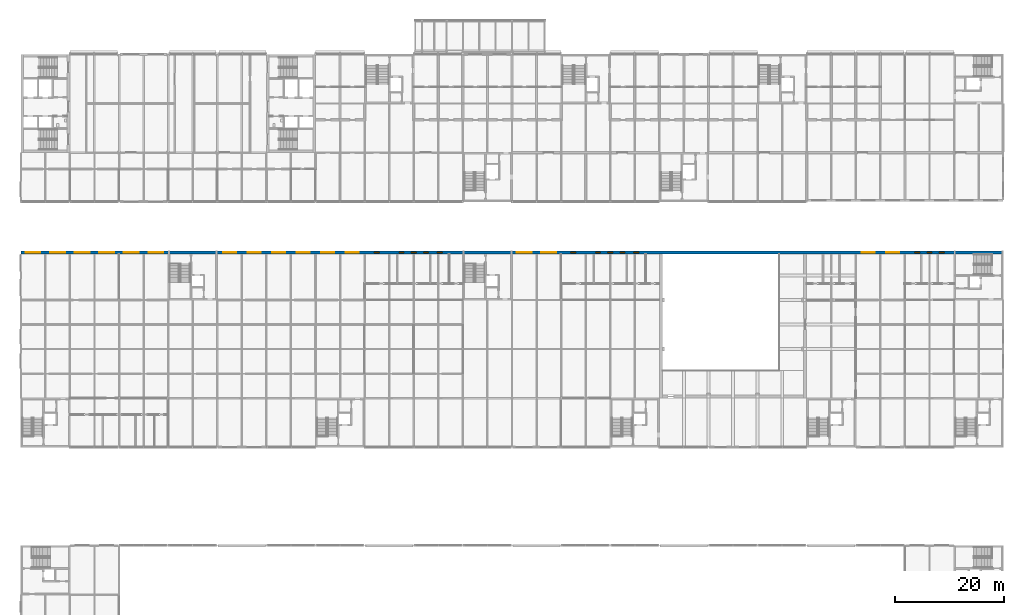
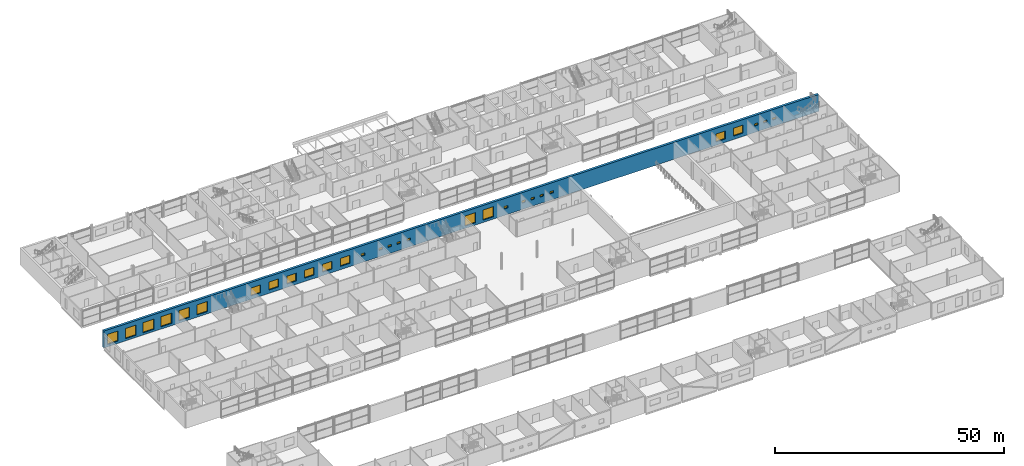
# One storey, part 76 of 97: 29 windows, 1 wall, 29 openings.
"""IFC4 building model written with IfcOpenShell, lengths in metres."""

from ifc_helpers import new_model, si_unit, direction, frame, frame_2d, origin, place, context, subcontext, project, spatial, rectangle, extrude, material, layer, layer_set, type_object, element, fill, save


model = new_model("IFC4")

# Units and contexts
model_context = context("Model", 3, precision=1e-05, world=origin(), true_north=direction((0.0, 1.0)))
body_context = subcontext(model_context, "Body", "Model", "MODEL_VIEW")
ifc_project = project(units=[si_unit("LENGTHUNIT", "METRE"), si_unit("AREAUNIT", "SQUARE_METRE"), si_unit("VOLUMEUNIT", "CUBIC_METRE"), si_unit("PLANEANGLEUNIT", "RADIAN"), si_unit("MASSUNIT", "GRAM", prefix="KILO")], contexts=[model_context])

# Site, building, storey
site_placement = place(None, origin())
site = spatial("IfcSite", under=ifc_project, at=site_placement, CompositionType="ELEMENT")
building_placement = place(site_placement, origin())
building = spatial("IfcBuilding", under=site, at=building_placement, Name="Corbel Yard City Hall", CompositionType="ELEMENT")
storey_placement = place(building_placement, frame((0.0, 0.0, 6.0)))
storey = spatial("IfcBuildingStorey", under=building, at=storey_placement, Name="L01", CompositionType="ELEMENT", Elevation=6.0)

# Wall, openings, windows
ifc_material_1 = material(Name="Concrete N50 (50 MPa)", Category="concrete")
ifc_layer = layer(ifc_material_1, 0.60009765625)
ifc_layer_set = layer_set([ifc_layer], Name="Concrete N50 (50 MPa)")
wall_type = type_object("IfcWallType", Name="Bearing wall 600", PredefinedType="SHEAR", material=ifc_layer_set)
wall_placement = place(storey_placement, frame((0.0, 80.699951171875, 0.0), z_axis=(0.0, 0.0, 1.0), x_axis=(1.0, 0.0, 0.0)))
wall = element("IfcWall", 1, at=wall_placement, inside=storey, type_object=wall_type, Name="Bearing wall L01", PredefinedType="SHEAR", context=body_context, shape_type="SweptSolid", body=[
    extrude(rectangle(XDim=180.0, YDim=0.60009765625, at=frame_2d((90.0, 0.0))), origin(), (0.0, 0.0, 1.0), 4.5),
])
opening_1_placement = place(wall_placement, frame((0.89990234375, 0.0, 0.60009765625)))
opening_1 = element("IfcOpeningElement", 2, at=opening_1_placement, cuts=wall, Name="Opening WN18", PredefinedType="OPENING", context=body_context, shape_type="SweptSolid", body=[
    extrude(rectangle(XDim=2.699951171875, YDim=2.699951171875, at=frame_2d((1.35009765625, 1.35009765625))), frame((0.0, 0.31005859375, 0.0), z_axis=(0.0, -1.0, 0.0), x_axis=(1.0, 0.0, 0.0)), (0.0, 0.0, 1.0), 0.6201171875),
])
opening_2_placement = place(wall_placement, frame((5.39990234375, 0.0, 0.60009765625)))
opening_2 = element("IfcOpeningElement", 3, at=opening_2_placement, cuts=wall, Name="Opening WN18", PredefinedType="OPENING", context=body_context, shape_type="SweptSolid", body=[
    extrude(rectangle(XDim=2.699951171875, YDim=2.699951171875, at=frame_2d((1.35009765625, 1.35009765625))), frame((0.0, 0.31005859375, 0.0), z_axis=(0.0, -1.0, 0.0), x_axis=(1.0, 0.0, 0.0)), (0.0, 0.0, 1.0), 0.6201171875),
])
opening_3_placement = place(wall_placement, frame((9.89990234375, 0.0, 0.60009765625)))
opening_3 = element("IfcOpeningElement", 4, at=opening_3_placement, cuts=wall, Name="Opening WN18", PredefinedType="OPENING", context=body_context, shape_type="SweptSolid", body=[
    extrude(rectangle(XDim=2.699951171875, YDim=2.699951171875, at=frame_2d((1.35009765625, 1.35009765625))), frame((0.0, 0.31005859375, 0.0), z_axis=(0.0, -1.0, 0.0), x_axis=(1.0, 0.0, 0.0)), (0.0, 0.0, 1.0), 0.6201171875),
])
opening_4_placement = place(wall_placement, frame((14.39990234375, 0.0, 0.60009765625)))
opening_4 = element("IfcOpeningElement", 5, at=opening_4_placement, cuts=wall, Name="Opening WN18", PredefinedType="OPENING", context=body_context, shape_type="SweptSolid", body=[
    extrude(rectangle(XDim=2.699951171875, YDim=2.699951171875, at=frame_2d((1.35009765625, 1.35009765625))), frame((0.0, 0.31005859375, 0.0), z_axis=(0.0, -1.0, 0.0), x_axis=(1.0, 0.0, 0.0)), (0.0, 0.0, 1.0), 0.6201171875),
])
opening_5_placement = place(wall_placement, frame((18.89990234375, 0.0, 0.60009765625)))
opening_5 = element("IfcOpeningElement", 6, at=opening_5_placement, cuts=wall, Name="Opening WN18", PredefinedType="OPENING", context=body_context, shape_type="SweptSolid", body=[
    extrude(rectangle(XDim=2.699951171875, YDim=2.699951171875, at=frame_2d((1.35009765625, 1.35009765625))), frame((0.0, 0.31005859375, 0.0), z_axis=(0.0, -1.0, 0.0), x_axis=(1.0, 0.0, 0.0)), (0.0, 0.0, 1.0), 0.6201171875),
])
opening_6_placement = place(wall_placement, frame((23.39990234375, 0.0, 0.60009765625)))
opening_6 = element("IfcOpeningElement", 7, at=opening_6_placement, cuts=wall, Name="Opening WN18", PredefinedType="OPENING", context=body_context, shape_type="SweptSolid", body=[
    extrude(rectangle(XDim=2.699951171875, YDim=2.699951171875, at=frame_2d((1.35009765625, 1.35009765625))), frame((0.0, 0.31005859375, 0.0), z_axis=(0.0, -1.0, 0.0), x_axis=(1.0, 0.0, 0.0)), (0.0, 0.0, 1.0), 0.6201171875),
])
opening_7_placement = place(wall_placement, frame((37.050048828125, 0.0, 0.89990234375)))
opening_7 = element("IfcOpeningElement", 8, at=opening_7_placement, cuts=wall, Name="Opening WN8", PredefinedType="OPENING", context=body_context, shape_type="SweptSolid", body=[
    extrude(rectangle(XDim=2.39990234375, YDim=2.10009765625, at=frame_2d((1.199951171875, 1.050048828125))), frame((0.0, 0.31005859375, 0.0), z_axis=(0.0, -1.0, 0.0), x_axis=(1.0, 0.0, 0.0)), (0.0, 0.0, 1.0), 0.6201171875),
])
opening_8_placement = place(wall_placement, frame((41.550048828125, 0.0, 0.89990234375)))
opening_8 = element("IfcOpeningElement", 9, at=opening_8_placement, cuts=wall, Name="Opening WN8", PredefinedType="OPENING", context=body_context, shape_type="SweptSolid", body=[
    extrude(rectangle(XDim=2.39990234375, YDim=2.10009765625, at=frame_2d((1.199951171875, 1.050048828125))), frame((0.0, 0.31005859375, 0.0), z_axis=(0.0, -1.0, 0.0), x_axis=(1.0, 0.0, 0.0)), (0.0, 0.0, 1.0), 0.6201171875),
])
opening_9_placement = place(wall_placement, frame((46.050048828125, 0.0, 0.89990234375)))
opening_9 = element("IfcOpeningElement", 10, at=opening_9_placement, cuts=wall, Name="Opening WN8", PredefinedType="OPENING", context=body_context, shape_type="SweptSolid", body=[
    extrude(rectangle(XDim=2.39990234375, YDim=2.10009765625, at=frame_2d((1.199951171875, 1.050048828125))), frame((0.0, 0.31005859375, 0.0), z_axis=(0.0, -1.0, 0.0), x_axis=(1.0, 0.0, 0.0)), (0.0, 0.0, 1.0), 0.6201171875),
])
opening_10_placement = place(wall_placement, frame((50.550048828125, 0.0, 0.89990234375)))
opening_10 = element("IfcOpeningElement", 11, at=opening_10_placement, cuts=wall, Name="Opening WN8", PredefinedType="OPENING", context=body_context, shape_type="SweptSolid", body=[
    extrude(rectangle(XDim=2.39990234375, YDim=2.10009765625, at=frame_2d((1.199951171875, 1.050048828125))), frame((0.0, 0.31005859375, 0.0), z_axis=(0.0, -1.0, 0.0), x_axis=(1.0, 0.0, 0.0)), (0.0, 0.0, 1.0), 0.6201171875),
])
opening_11_placement = place(wall_placement, frame((55.050048828125, 0.0, 0.89990234375)))
opening_11 = element("IfcOpeningElement", 12, at=opening_11_placement, cuts=wall, Name="Opening WN8", PredefinedType="OPENING", context=body_context, shape_type="SweptSolid", body=[
    extrude(rectangle(XDim=2.39990234375, YDim=2.10009765625, at=frame_2d((1.199951171875, 1.050048828125))), frame((0.0, 0.31005859375, 0.0), z_axis=(0.0, -1.0, 0.0), x_axis=(1.0, 0.0, 0.0)), (0.0, 0.0, 1.0), 0.6201171875),
])
opening_12_placement = place(wall_placement, frame((59.550048828125, 0.0, 0.89990234375)))
opening_12 = element("IfcOpeningElement", 13, at=opening_12_placement, cuts=wall, Name="Opening WN8", PredefinedType="OPENING", context=body_context, shape_type="SweptSolid", body=[
    extrude(rectangle(XDim=2.39990234375, YDim=2.10009765625, at=frame_2d((1.199951171875, 1.050048828125))), frame((0.0, 0.31005859375, 0.0), z_axis=(0.0, -1.0, 0.0), x_axis=(1.0, 0.0, 0.0)), (0.0, 0.0, 1.0), 0.6201171875),
])
opening_13_placement = place(wall_placement, frame((64.800048828125, 0.0, 1.699951171875)))
opening_13 = element("IfcOpeningElement", 14, at=opening_13_placement, cuts=wall, Name="Opening WN10", PredefinedType="OPENING", context=body_context, shape_type="SweptSolid", body=[
    extrude(rectangle(XDim=0.89990234375, YDim=0.60009765625, at=frame_2d((0.449951171875, 0.300048828125))), frame((0.0, 0.31005859375, 0.0), z_axis=(0.0, -1.0, 0.0), x_axis=(1.0, 0.0, 0.0)), (0.0, 0.0, 1.0), 0.6201171875),
])
opening_14_placement = place(wall_placement, frame((69.300048828125, 0.0, 1.699951171875)))
opening_14 = element("IfcOpeningElement", 15, at=opening_14_placement, cuts=wall, Name="Opening WN10", PredefinedType="OPENING", context=body_context, shape_type="SweptSolid", body=[
    extrude(rectangle(XDim=0.89990234375, YDim=0.60009765625, at=frame_2d((0.449951171875, 0.300048828125))), frame((0.0, 0.31005859375, 0.0), z_axis=(0.0, -1.0, 0.0), x_axis=(1.0, 0.0, 0.0)), (0.0, 0.0, 1.0), 0.6201171875),
])
opening_15_placement = place(wall_placement, frame((73.800048828125, 0.0, 1.699951171875)))
opening_15 = element("IfcOpeningElement", 16, at=opening_15_placement, cuts=wall, Name="Opening WN10", PredefinedType="OPENING", context=body_context, shape_type="SweptSolid", body=[
    extrude(rectangle(XDim=0.89990234375, YDim=0.60009765625, at=frame_2d((0.449951171875, 0.300048828125))), frame((0.0, 0.31005859375, 0.0), z_axis=(0.0, -1.0, 0.0), x_axis=(1.0, 0.0, 0.0)), (0.0, 0.0, 1.0), 0.6201171875),
])
opening_16_placement = place(wall_placement, frame((90.89990234375, 0.0, 0.60009765625)))
opening_16 = element("IfcOpeningElement", 17, at=opening_16_placement, cuts=wall, Name="Opening WN18", PredefinedType="OPENING", context=body_context, shape_type="SweptSolid", body=[
    extrude(rectangle(XDim=2.699951171875, YDim=2.699951171875, at=frame_2d((1.35009765625, 1.35009765625))), frame((0.0, 0.31005859375, 0.0), z_axis=(0.0, -1.0, 0.0), x_axis=(1.0, 0.0, 0.0)), (0.0, 0.0, 1.0), 0.6201171875),
])
opening_17_placement = place(wall_placement, frame((95.39990234375, 0.0, 0.60009765625)))
opening_17 = element("IfcOpeningElement", 18, at=opening_17_placement, cuts=wall, Name="Opening WN18", PredefinedType="OPENING", context=body_context, shape_type="SweptSolid", body=[
    extrude(rectangle(XDim=2.699951171875, YDim=2.699951171875, at=frame_2d((1.35009765625, 1.35009765625))), frame((0.0, 0.31005859375, 0.0), z_axis=(0.0, -1.0, 0.0), x_axis=(1.0, 0.0, 0.0)), (0.0, 0.0, 1.0), 0.6201171875),
])
opening_18_placement = place(wall_placement, frame((100.800048828125, 0.0, 1.699951171875)))
opening_18 = element("IfcOpeningElement", 19, at=opening_18_placement, cuts=wall, Name="Opening WN10", PredefinedType="OPENING", context=body_context, shape_type="SweptSolid", body=[
    extrude(rectangle(XDim=0.89990234375, YDim=0.60009765625, at=frame_2d((0.449951171875, 0.300048828125))), frame((0.0, 0.31005859375, 0.0), z_axis=(0.0, -1.0, 0.0), x_axis=(1.0, 0.0, 0.0)), (0.0, 0.0, 1.0), 0.6201171875),
])
opening_19_placement = place(wall_placement, frame((105.300048828125, 0.0, 1.699951171875)))
opening_19 = element("IfcOpeningElement", 20, at=opening_19_placement, cuts=wall, Name="Opening WN10", PredefinedType="OPENING", context=body_context, shape_type="SweptSolid", body=[
    extrude(rectangle(XDim=0.89990234375, YDim=0.60009765625, at=frame_2d((0.449951171875, 0.300048828125))), frame((0.0, 0.31005859375, 0.0), z_axis=(0.0, -1.0, 0.0), x_axis=(1.0, 0.0, 0.0)), (0.0, 0.0, 1.0), 0.6201171875),
])
opening_20_placement = place(wall_placement, frame((109.800048828125, 0.0, 1.699951171875)))
opening_20 = element("IfcOpeningElement", 21, at=opening_20_placement, cuts=wall, Name="Opening WN10", PredefinedType="OPENING", context=body_context, shape_type="SweptSolid", body=[
    extrude(rectangle(XDim=0.89990234375, YDim=0.60009765625, at=frame_2d((0.449951171875, 0.300048828125))), frame((0.0, 0.31005859375, 0.0), z_axis=(0.0, -1.0, 0.0), x_axis=(1.0, 0.0, 0.0)), (0.0, 0.0, 1.0), 0.6201171875),
])
opening_21_placement = place(wall_placement, frame((154.050048828125, 0.0, 0.89990234375)))
opening_21 = element("IfcOpeningElement", 22, at=opening_21_placement, cuts=wall, Name="Opening WN8", PredefinedType="OPENING", context=body_context, shape_type="SweptSolid", body=[
    extrude(rectangle(XDim=2.39990234375, YDim=2.10009765625, at=frame_2d((1.199951171875, 1.050048828125))), frame((0.0, 0.31005859375, 0.0), z_axis=(0.0, -1.0, 0.0), x_axis=(1.0, 0.0, 0.0)), (0.0, 0.0, 1.0), 0.6201171875),
])
opening_22_placement = place(wall_placement, frame((158.550048828125, 0.0, 0.89990234375)))
opening_22 = element("IfcOpeningElement", 23, at=opening_22_placement, cuts=wall, Name="Opening WN8", PredefinedType="OPENING", context=body_context, shape_type="SweptSolid", body=[
    extrude(rectangle(XDim=2.39990234375, YDim=2.10009765625, at=frame_2d((1.199951171875, 1.050048828125))), frame((0.0, 0.31005859375, 0.0), z_axis=(0.0, -1.0, 0.0), x_axis=(1.0, 0.0, 0.0)), (0.0, 0.0, 1.0), 0.6201171875),
])
opening_23_placement = place(wall_placement, frame((163.800048828125, 0.0, 1.699951171875)))
opening_23 = element("IfcOpeningElement", 24, at=opening_23_placement, cuts=wall, Name="Opening WN10", PredefinedType="OPENING", context=body_context, shape_type="SweptSolid", body=[
    extrude(rectangle(XDim=0.89990234375, YDim=0.60009765625, at=frame_2d((0.449951171875, 0.300048828125))), frame((0.0, 0.31005859375, 0.0), z_axis=(0.0, -1.0, 0.0), x_axis=(1.0, 0.0, 0.0)), (0.0, 0.0, 1.0), 0.6201171875),
])
opening_24_placement = place(wall_placement, frame((168.300048828125, 0.0, 1.699951171875)))
opening_24 = element("IfcOpeningElement", 25, at=opening_24_placement, cuts=wall, Name="Opening WN10", PredefinedType="OPENING", context=body_context, shape_type="SweptSolid", body=[
    extrude(rectangle(XDim=0.89990234375, YDim=0.60009765625, at=frame_2d((0.449951171875, 0.300048828125))), frame((0.0, 0.31005859375, 0.0), z_axis=(0.0, -1.0, 0.0), x_axis=(1.0, 0.0, 0.0)), (0.0, 0.0, 1.0), 0.6201171875),
])
opening_25_placement = place(wall_placement, frame((71.550048828125, 0.0, 1.699951171875)))
opening_25 = element("IfcOpeningElement", 26, at=opening_25_placement, cuts=wall, Name="Opening WN10", PredefinedType="OPENING", context=body_context, shape_type="SweptSolid", body=[
    extrude(rectangle(XDim=0.89990234375, YDim=0.60009765625, at=frame_2d((0.449951171875, 0.300048828125))), frame((0.0, 0.31005859375, 0.0), z_axis=(0.0, -1.0, 0.0), x_axis=(1.0, 0.0, 0.0)), (0.0, 0.0, 1.0), 0.6201171875),
])
opening_26_placement = place(wall_placement, frame((76.300048828125, 0.0, 1.699951171875)))
opening_26 = element("IfcOpeningElement", 27, at=opening_26_placement, cuts=wall, Name="Opening WN10", PredefinedType="OPENING", context=body_context, shape_type="SweptSolid", body=[
    extrude(rectangle(XDim=0.89990234375, YDim=0.60009765625, at=frame_2d((0.449951171875, 0.300048828125))), frame((0.0, 0.31005859375, 0.0), z_axis=(0.0, -1.0, 0.0), x_axis=(1.0, 0.0, 0.0)), (0.0, 0.0, 1.0), 0.6201171875),
])
opening_27_placement = place(wall_placement, frame((107.550048828125, 0.0, 1.699951171875)))
opening_27 = element("IfcOpeningElement", 28, at=opening_27_placement, cuts=wall, Name="Opening WN10", PredefinedType="OPENING", context=body_context, shape_type="SweptSolid", body=[
    extrude(rectangle(XDim=0.89990234375, YDim=0.60009765625, at=frame_2d((0.449951171875, 0.300048828125))), frame((0.0, 0.31005859375, 0.0), z_axis=(0.0, -1.0, 0.0), x_axis=(1.0, 0.0, 0.0)), (0.0, 0.0, 1.0), 0.6201171875),
])
opening_28_placement = place(wall_placement, frame((112.300048828125, 0.0, 1.699951171875)))
opening_28 = element("IfcOpeningElement", 29, at=opening_28_placement, cuts=wall, Name="Opening WN10", PredefinedType="OPENING", context=body_context, shape_type="SweptSolid", body=[
    extrude(rectangle(XDim=0.89990234375, YDim=0.60009765625, at=frame_2d((0.449951171875, 0.300048828125))), frame((0.0, 0.31005859375, 0.0), z_axis=(0.0, -1.0, 0.0), x_axis=(1.0, 0.0, 0.0)), (0.0, 0.0, 1.0), 0.6201171875),
])
opening_29_placement = place(wall_placement, frame((166.050048828125, 0.0, 1.699951171875)))
opening_29 = element("IfcOpeningElement", 30, at=opening_29_placement, cuts=wall, Name="Opening WN10", PredefinedType="OPENING", context=body_context, shape_type="SweptSolid", body=[
    extrude(rectangle(XDim=0.89990234375, YDim=0.60009765625, at=frame_2d((0.449951171875, 0.300048828125))), frame((0.0, 0.31005859375, 0.0), z_axis=(0.0, -1.0, 0.0), x_axis=(1.0, 0.0, 0.0)), (0.0, 0.0, 1.0), 0.6201171875),
])
ifc_material_2 = material(Name="Aluminium frame, obscure laminated glass", Category="aluminium")
window_type_1 = type_object("IfcWindowType", Name="WN10", PartitioningType="SINGLE_PANEL", PredefinedType="WINDOW", material=ifc_material_2)
window_1_placement = place(opening_13_placement, origin())
window_1 = element("IfcWindow", 31, at=window_1_placement, inside=storey, type_object=window_type_1, Name="Window WN10 L01", OverallHeight=0.60009765625, OverallWidth=0.89990234375, PartitioningType="SINGLE_PANEL", PredefinedType="WINDOW", context=body_context, shape_type="SweptSolid", body=[
    extrude(rectangle(XDim=0.89990234375, YDim=0.60009765625, at=frame_2d((0.449951171875, 0.300048828125))), frame((0.0, 0.030029296875, 0.0), z_axis=(0.0, -1.0, 0.0), x_axis=(1.0, 0.0, 0.0)), (0.0, 0.0, 1.0), 0.06005859375),
])
fill(opening_13, window_1)
window_2_placement = place(opening_14_placement, origin())
window_2 = element("IfcWindow", 32, at=window_2_placement, inside=storey, type_object=window_type_1, Name="Window WN10 L01", OverallHeight=0.60009765625, OverallWidth=0.89990234375, PartitioningType="SINGLE_PANEL", PredefinedType="WINDOW", context=body_context, shape_type="SweptSolid", body=[
    extrude(rectangle(XDim=0.89990234375, YDim=0.60009765625, at=frame_2d((0.449951171875, 0.300048828125))), frame((0.0, 0.030029296875, 0.0), z_axis=(0.0, -1.0, 0.0), x_axis=(1.0, 0.0, 0.0)), (0.0, 0.0, 1.0), 0.06005859375),
])
fill(opening_14, window_2)
window_3_placement = place(opening_15_placement, origin())
window_3 = element("IfcWindow", 33, at=window_3_placement, inside=storey, type_object=window_type_1, Name="Window WN10 L01", OverallHeight=0.60009765625, OverallWidth=0.89990234375, PartitioningType="SINGLE_PANEL", PredefinedType="WINDOW", context=body_context, shape_type="SweptSolid", body=[
    extrude(rectangle(XDim=0.89990234375, YDim=0.60009765625, at=frame_2d((0.449951171875, 0.300048828125))), frame((0.0, 0.030029296875, 0.0), z_axis=(0.0, -1.0, 0.0), x_axis=(1.0, 0.0, 0.0)), (0.0, 0.0, 1.0), 0.06005859375),
])
fill(opening_15, window_3)
window_4_placement = place(opening_18_placement, origin())
window_4 = element("IfcWindow", 34, at=window_4_placement, inside=storey, type_object=window_type_1, Name="Window WN10 L01", OverallHeight=0.60009765625, OverallWidth=0.89990234375, PartitioningType="SINGLE_PANEL", PredefinedType="WINDOW", context=body_context, shape_type="SweptSolid", body=[
    extrude(rectangle(XDim=0.89990234375, YDim=0.60009765625, at=frame_2d((0.449951171875, 0.300048828125))), frame((0.0, 0.030029296875, 0.0), z_axis=(0.0, -1.0, 0.0), x_axis=(1.0, 0.0, 0.0)), (0.0, 0.0, 1.0), 0.06005859375),
])
fill(opening_18, window_4)
window_5_placement = place(opening_19_placement, origin())
window_5 = element("IfcWindow", 35, at=window_5_placement, inside=storey, type_object=window_type_1, Name="Window WN10 L01", OverallHeight=0.60009765625, OverallWidth=0.89990234375, PartitioningType="SINGLE_PANEL", PredefinedType="WINDOW", context=body_context, shape_type="SweptSolid", body=[
    extrude(rectangle(XDim=0.89990234375, YDim=0.60009765625, at=frame_2d((0.449951171875, 0.300048828125))), frame((0.0, 0.030029296875, 0.0), z_axis=(0.0, -1.0, 0.0), x_axis=(1.0, 0.0, 0.0)), (0.0, 0.0, 1.0), 0.06005859375),
])
fill(opening_19, window_5)
window_6_placement = place(opening_20_placement, origin())
window_6 = element("IfcWindow", 36, at=window_6_placement, inside=storey, type_object=window_type_1, Name="Window WN10 L01", OverallHeight=0.60009765625, OverallWidth=0.89990234375, PartitioningType="SINGLE_PANEL", PredefinedType="WINDOW", context=body_context, shape_type="SweptSolid", body=[
    extrude(rectangle(XDim=0.89990234375, YDim=0.60009765625, at=frame_2d((0.449951171875, 0.300048828125))), frame((0.0, 0.030029296875, 0.0), z_axis=(0.0, -1.0, 0.0), x_axis=(1.0, 0.0, 0.0)), (0.0, 0.0, 1.0), 0.06005859375),
])
fill(opening_20, window_6)
window_7_placement = place(opening_23_placement, origin())
window_7 = element("IfcWindow", 37, at=window_7_placement, inside=storey, type_object=window_type_1, Name="Window WN10 L01", OverallHeight=0.60009765625, OverallWidth=0.89990234375, PartitioningType="SINGLE_PANEL", PredefinedType="WINDOW", context=body_context, shape_type="SweptSolid", body=[
    extrude(rectangle(XDim=0.89990234375, YDim=0.60009765625, at=frame_2d((0.449951171875, 0.300048828125))), frame((0.0, 0.030029296875, 0.0), z_axis=(0.0, -1.0, 0.0), x_axis=(1.0, 0.0, 0.0)), (0.0, 0.0, 1.0), 0.06005859375),
])
fill(opening_23, window_7)
window_8_placement = place(opening_24_placement, origin())
window_8 = element("IfcWindow", 38, at=window_8_placement, inside=storey, type_object=window_type_1, Name="Window WN10 L01", OverallHeight=0.60009765625, OverallWidth=0.89990234375, PartitioningType="SINGLE_PANEL", PredefinedType="WINDOW", context=body_context, shape_type="SweptSolid", body=[
    extrude(rectangle(XDim=0.89990234375, YDim=0.60009765625, at=frame_2d((0.449951171875, 0.300048828125))), frame((0.0, 0.030029296875, 0.0), z_axis=(0.0, -1.0, 0.0), x_axis=(1.0, 0.0, 0.0)), (0.0, 0.0, 1.0), 0.06005859375),
])
fill(opening_24, window_8)
window_9_placement = place(opening_25_placement, origin())
window_9 = element("IfcWindow", 39, at=window_9_placement, inside=storey, type_object=window_type_1, Name="Window WN10 L01", OverallHeight=0.60009765625, OverallWidth=0.89990234375, PartitioningType="SINGLE_PANEL", PredefinedType="WINDOW", context=body_context, shape_type="SweptSolid", body=[
    extrude(rectangle(XDim=0.89990234375, YDim=0.60009765625, at=frame_2d((0.449951171875, 0.300048828125))), frame((0.0, 0.030029296875, 0.0), z_axis=(0.0, -1.0, 0.0), x_axis=(1.0, 0.0, 0.0)), (0.0, 0.0, 1.0), 0.06005859375),
])
fill(opening_25, window_9)
window_10_placement = place(opening_26_placement, origin())
window_10 = element("IfcWindow", 40, at=window_10_placement, inside=storey, type_object=window_type_1, Name="Window WN10 L01", OverallHeight=0.60009765625, OverallWidth=0.89990234375, PartitioningType="SINGLE_PANEL", PredefinedType="WINDOW", context=body_context, shape_type="SweptSolid", body=[
    extrude(rectangle(XDim=0.89990234375, YDim=0.60009765625, at=frame_2d((0.449951171875, 0.300048828125))), frame((0.0, 0.030029296875, 0.0), z_axis=(0.0, -1.0, 0.0), x_axis=(1.0, 0.0, 0.0)), (0.0, 0.0, 1.0), 0.06005859375),
])
fill(opening_26, window_10)
window_11_placement = place(opening_27_placement, origin())
window_11 = element("IfcWindow", 41, at=window_11_placement, inside=storey, type_object=window_type_1, Name="Window WN10 L01", OverallHeight=0.60009765625, OverallWidth=0.89990234375, PartitioningType="SINGLE_PANEL", PredefinedType="WINDOW", context=body_context, shape_type="SweptSolid", body=[
    extrude(rectangle(XDim=0.89990234375, YDim=0.60009765625, at=frame_2d((0.449951171875, 0.300048828125))), frame((0.0, 0.030029296875, 0.0), z_axis=(0.0, -1.0, 0.0), x_axis=(1.0, 0.0, 0.0)), (0.0, 0.0, 1.0), 0.06005859375),
])
fill(opening_27, window_11)
window_12_placement = place(opening_28_placement, origin())
window_12 = element("IfcWindow", 42, at=window_12_placement, inside=storey, type_object=window_type_1, Name="Window WN10 L01", OverallHeight=0.60009765625, OverallWidth=0.89990234375, PartitioningType="SINGLE_PANEL", PredefinedType="WINDOW", context=body_context, shape_type="SweptSolid", body=[
    extrude(rectangle(XDim=0.89990234375, YDim=0.60009765625, at=frame_2d((0.449951171875, 0.300048828125))), frame((0.0, 0.030029296875, 0.0), z_axis=(0.0, -1.0, 0.0), x_axis=(1.0, 0.0, 0.0)), (0.0, 0.0, 1.0), 0.06005859375),
])
fill(opening_28, window_12)
window_13_placement = place(opening_29_placement, origin())
window_13 = element("IfcWindow", 43, at=window_13_placement, inside=storey, type_object=window_type_1, Name="Window WN10 L01", OverallHeight=0.60009765625, OverallWidth=0.89990234375, PartitioningType="SINGLE_PANEL", PredefinedType="WINDOW", context=body_context, shape_type="SweptSolid", body=[
    extrude(rectangle(XDim=0.89990234375, YDim=0.60009765625, at=frame_2d((0.449951171875, 0.300048828125))), frame((0.0, 0.030029296875, 0.0), z_axis=(0.0, -1.0, 0.0), x_axis=(1.0, 0.0, 0.0)), (0.0, 0.0, 1.0), 0.06005859375),
])
fill(opening_29, window_13)
ifc_material_3 = material(Name="Aluminium frame, double glazed low-e glass", Category="aluminium")
window_type_2 = type_object("IfcWindowType", Name="WN18", PartitioningType="SINGLE_PANEL", PredefinedType="WINDOW", material=ifc_material_3)
window_14_placement = place(opening_1_placement, origin())
window_14 = element("IfcWindow", 44, at=window_14_placement, inside=storey, type_object=window_type_2, Name="Window WN18 L01", OverallHeight=2.699951171875, OverallWidth=2.699951171875, PartitioningType="SINGLE_PANEL", PredefinedType="WINDOW", context=body_context, shape_type="SweptSolid", body=[
    extrude(rectangle(XDim=2.699951171875, YDim=2.699951171875, at=frame_2d((1.35009765625, 1.35009765625))), frame((0.0, 0.030029296875, 0.0), z_axis=(0.0, -1.0, 0.0), x_axis=(1.0, 0.0, 0.0)), (0.0, 0.0, 1.0), 0.06005859375),
])
fill(opening_1, window_14)
window_15_placement = place(opening_2_placement, origin())
window_15 = element("IfcWindow", 45, at=window_15_placement, inside=storey, type_object=window_type_2, Name="Window WN18 L01", OverallHeight=2.699951171875, OverallWidth=2.699951171875, PartitioningType="SINGLE_PANEL", PredefinedType="WINDOW", context=body_context, shape_type="SweptSolid", body=[
    extrude(rectangle(XDim=2.699951171875, YDim=2.699951171875, at=frame_2d((1.35009765625, 1.35009765625))), frame((0.0, 0.030029296875, 0.0), z_axis=(0.0, -1.0, 0.0), x_axis=(1.0, 0.0, 0.0)), (0.0, 0.0, 1.0), 0.06005859375),
])
fill(opening_2, window_15)
window_16_placement = place(opening_3_placement, origin())
window_16 = element("IfcWindow", 46, at=window_16_placement, inside=storey, type_object=window_type_2, Name="Window WN18 L01", OverallHeight=2.699951171875, OverallWidth=2.699951171875, PartitioningType="SINGLE_PANEL", PredefinedType="WINDOW", context=body_context, shape_type="SweptSolid", body=[
    extrude(rectangle(XDim=2.699951171875, YDim=2.699951171875, at=frame_2d((1.35009765625, 1.35009765625))), frame((0.0, 0.030029296875, 0.0), z_axis=(0.0, -1.0, 0.0), x_axis=(1.0, 0.0, 0.0)), (0.0, 0.0, 1.0), 0.06005859375),
])
fill(opening_3, window_16)
window_17_placement = place(opening_4_placement, origin())
window_17 = element("IfcWindow", 47, at=window_17_placement, inside=storey, type_object=window_type_2, Name="Window WN18 L01", OverallHeight=2.699951171875, OverallWidth=2.699951171875, PartitioningType="SINGLE_PANEL", PredefinedType="WINDOW", context=body_context, shape_type="SweptSolid", body=[
    extrude(rectangle(XDim=2.699951171875, YDim=2.699951171875, at=frame_2d((1.35009765625, 1.35009765625))), frame((0.0, 0.030029296875, 0.0), z_axis=(0.0, -1.0, 0.0), x_axis=(1.0, 0.0, 0.0)), (0.0, 0.0, 1.0), 0.06005859375),
])
fill(opening_4, window_17)
window_18_placement = place(opening_5_placement, origin())
window_18 = element("IfcWindow", 48, at=window_18_placement, inside=storey, type_object=window_type_2, Name="Window WN18 L01", OverallHeight=2.699951171875, OverallWidth=2.699951171875, PartitioningType="SINGLE_PANEL", PredefinedType="WINDOW", context=body_context, shape_type="SweptSolid", body=[
    extrude(rectangle(XDim=2.699951171875, YDim=2.699951171875, at=frame_2d((1.35009765625, 1.35009765625))), frame((0.0, 0.030029296875, 0.0), z_axis=(0.0, -1.0, 0.0), x_axis=(1.0, 0.0, 0.0)), (0.0, 0.0, 1.0), 0.06005859375),
])
fill(opening_5, window_18)
window_19_placement = place(opening_6_placement, origin())
window_19 = element("IfcWindow", 49, at=window_19_placement, inside=storey, type_object=window_type_2, Name="Window WN18 L01", OverallHeight=2.699951171875, OverallWidth=2.699951171875, PartitioningType="SINGLE_PANEL", PredefinedType="WINDOW", context=body_context, shape_type="SweptSolid", body=[
    extrude(rectangle(XDim=2.699951171875, YDim=2.699951171875, at=frame_2d((1.35009765625, 1.35009765625))), frame((0.0, 0.030029296875, 0.0), z_axis=(0.0, -1.0, 0.0), x_axis=(1.0, 0.0, 0.0)), (0.0, 0.0, 1.0), 0.06005859375),
])
fill(opening_6, window_19)
window_20_placement = place(opening_16_placement, origin())
window_20 = element("IfcWindow", 50, at=window_20_placement, inside=storey, type_object=window_type_2, Name="Window WN18 L01", OverallHeight=2.699951171875, OverallWidth=2.699951171875, PartitioningType="SINGLE_PANEL", PredefinedType="WINDOW", context=body_context, shape_type="SweptSolid", body=[
    extrude(rectangle(XDim=2.699951171875, YDim=2.699951171875, at=frame_2d((1.35009765625, 1.35009765625))), frame((0.0, 0.030029296875, 0.0), z_axis=(0.0, -1.0, 0.0), x_axis=(1.0, 0.0, 0.0)), (0.0, 0.0, 1.0), 0.06005859375),
])
fill(opening_16, window_20)
window_21_placement = place(opening_17_placement, origin())
window_21 = element("IfcWindow", 51, at=window_21_placement, inside=storey, type_object=window_type_2, Name="Window WN18 L01", OverallHeight=2.699951171875, OverallWidth=2.699951171875, PartitioningType="SINGLE_PANEL", PredefinedType="WINDOW", context=body_context, shape_type="SweptSolid", body=[
    extrude(rectangle(XDim=2.699951171875, YDim=2.699951171875, at=frame_2d((1.35009765625, 1.35009765625))), frame((0.0, 0.030029296875, 0.0), z_axis=(0.0, -1.0, 0.0), x_axis=(1.0, 0.0, 0.0)), (0.0, 0.0, 1.0), 0.06005859375),
])
fill(opening_17, window_21)
window_type_3 = type_object("IfcWindowType", Name="WN8", PartitioningType="SINGLE_PANEL", PredefinedType="WINDOW", material=ifc_material_3)
window_22_placement = place(opening_7_placement, origin())
window_22 = element("IfcWindow", 52, at=window_22_placement, inside=storey, type_object=window_type_3, Name="Window WN8 L01", OverallHeight=2.10009765625, OverallWidth=2.39990234375, PartitioningType="SINGLE_PANEL", PredefinedType="WINDOW", context=body_context, shape_type="SweptSolid", body=[
    extrude(rectangle(XDim=2.39990234375, YDim=2.10009765625, at=frame_2d((1.199951171875, 1.050048828125))), frame((0.0, 0.030029296875, 0.0), z_axis=(0.0, -1.0, 0.0), x_axis=(1.0, 0.0, 0.0)), (0.0, 0.0, 1.0), 0.06005859375),
])
fill(opening_7, window_22)
window_23_placement = place(opening_8_placement, origin())
window_23 = element("IfcWindow", 53, at=window_23_placement, inside=storey, type_object=window_type_3, Name="Window WN8 L01", OverallHeight=2.10009765625, OverallWidth=2.39990234375, PartitioningType="SINGLE_PANEL", PredefinedType="WINDOW", context=body_context, shape_type="SweptSolid", body=[
    extrude(rectangle(XDim=2.39990234375, YDim=2.10009765625, at=frame_2d((1.199951171875, 1.050048828125))), frame((0.0, 0.030029296875, 0.0), z_axis=(0.0, -1.0, 0.0), x_axis=(1.0, 0.0, 0.0)), (0.0, 0.0, 1.0), 0.06005859375),
])
fill(opening_8, window_23)
window_24_placement = place(opening_9_placement, origin())
window_24 = element("IfcWindow", 54, at=window_24_placement, inside=storey, type_object=window_type_3, Name="Window WN8 L01", OverallHeight=2.10009765625, OverallWidth=2.39990234375, PartitioningType="SINGLE_PANEL", PredefinedType="WINDOW", context=body_context, shape_type="SweptSolid", body=[
    extrude(rectangle(XDim=2.39990234375, YDim=2.10009765625, at=frame_2d((1.199951171875, 1.050048828125))), frame((0.0, 0.030029296875, 0.0), z_axis=(0.0, -1.0, 0.0), x_axis=(1.0, 0.0, 0.0)), (0.0, 0.0, 1.0), 0.06005859375),
])
fill(opening_9, window_24)
window_25_placement = place(opening_10_placement, origin())
window_25 = element("IfcWindow", 55, at=window_25_placement, inside=storey, type_object=window_type_3, Name="Window WN8 L01", OverallHeight=2.10009765625, OverallWidth=2.39990234375, PartitioningType="SINGLE_PANEL", PredefinedType="WINDOW", context=body_context, shape_type="SweptSolid", body=[
    extrude(rectangle(XDim=2.39990234375, YDim=2.10009765625, at=frame_2d((1.199951171875, 1.050048828125))), frame((0.0, 0.030029296875, 0.0), z_axis=(0.0, -1.0, 0.0), x_axis=(1.0, 0.0, 0.0)), (0.0, 0.0, 1.0), 0.06005859375),
])
fill(opening_10, window_25)
window_26_placement = place(opening_11_placement, origin())
window_26 = element("IfcWindow", 56, at=window_26_placement, inside=storey, type_object=window_type_3, Name="Window WN8 L01", OverallHeight=2.10009765625, OverallWidth=2.39990234375, PartitioningType="SINGLE_PANEL", PredefinedType="WINDOW", context=body_context, shape_type="SweptSolid", body=[
    extrude(rectangle(XDim=2.39990234375, YDim=2.10009765625, at=frame_2d((1.199951171875, 1.050048828125))), frame((0.0, 0.030029296875, 0.0), z_axis=(0.0, -1.0, 0.0), x_axis=(1.0, 0.0, 0.0)), (0.0, 0.0, 1.0), 0.06005859375),
])
fill(opening_11, window_26)
window_27_placement = place(opening_12_placement, origin())
window_27 = element("IfcWindow", 57, at=window_27_placement, inside=storey, type_object=window_type_3, Name="Window WN8 L01", OverallHeight=2.10009765625, OverallWidth=2.39990234375, PartitioningType="SINGLE_PANEL", PredefinedType="WINDOW", context=body_context, shape_type="SweptSolid", body=[
    extrude(rectangle(XDim=2.39990234375, YDim=2.10009765625, at=frame_2d((1.199951171875, 1.050048828125))), frame((0.0, 0.030029296875, 0.0), z_axis=(0.0, -1.0, 0.0), x_axis=(1.0, 0.0, 0.0)), (0.0, 0.0, 1.0), 0.06005859375),
])
fill(opening_12, window_27)
window_28_placement = place(opening_21_placement, origin())
window_28 = element("IfcWindow", 58, at=window_28_placement, inside=storey, type_object=window_type_3, Name="Window WN8 L01", OverallHeight=2.10009765625, OverallWidth=2.39990234375, PartitioningType="SINGLE_PANEL", PredefinedType="WINDOW", context=body_context, shape_type="SweptSolid", body=[
    extrude(rectangle(XDim=2.39990234375, YDim=2.10009765625, at=frame_2d((1.199951171875, 1.050048828125))), frame((0.0, 0.030029296875, 0.0), z_axis=(0.0, -1.0, 0.0), x_axis=(1.0, 0.0, 0.0)), (0.0, 0.0, 1.0), 0.06005859375),
])
fill(opening_21, window_28)
window_29_placement = place(opening_22_placement, origin())
window_29 = element("IfcWindow", 59, at=window_29_placement, inside=storey, type_object=window_type_3, Name="Window WN8 L01", OverallHeight=2.10009765625, OverallWidth=2.39990234375, PartitioningType="SINGLE_PANEL", PredefinedType="WINDOW", context=body_context, shape_type="SweptSolid", body=[
    extrude(rectangle(XDim=2.39990234375, YDim=2.10009765625, at=frame_2d((1.199951171875, 1.050048828125))), frame((0.0, 0.030029296875, 0.0), z_axis=(0.0, -1.0, 0.0), x_axis=(1.0, 0.0, 0.0)), (0.0, 0.0, 1.0), 0.06005859375),
])
fill(opening_22, window_29)

save(model, "model.ifc")
